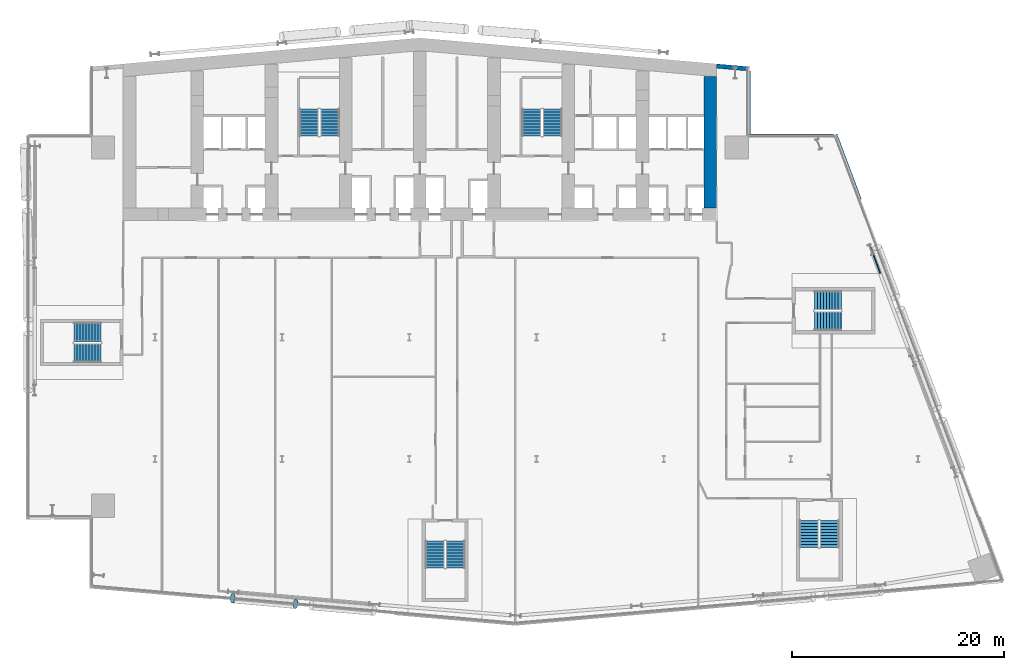
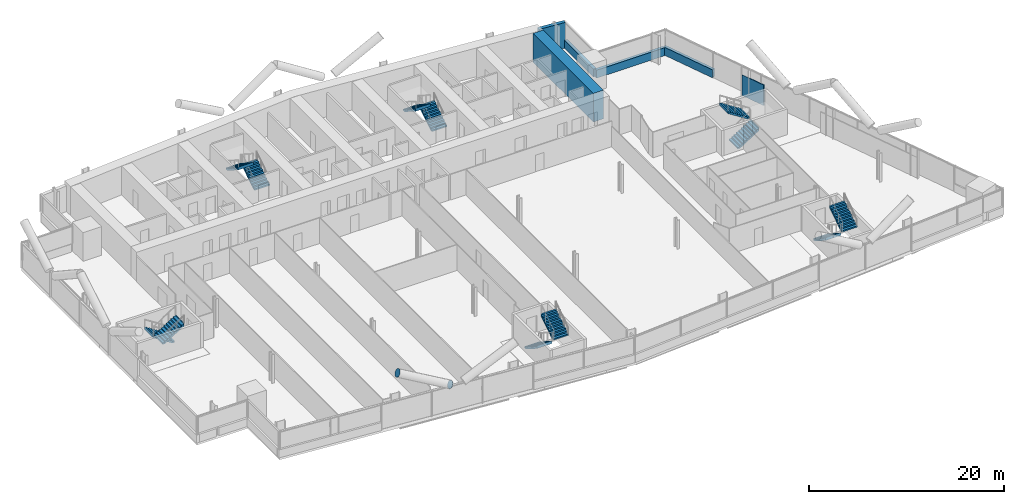
# One storey, part 18 of 25: 12 stair flights, 6 walls, 2 discrete accessories, 6 elements without a shape of their own.
"""IFC4 building model written with IfcOpenShell, lengths in metres."""

from ifc_helpers import new_model, si_unit, direction, frame, frame_2d, origin, origin_2d, place, context, subcontext, project, spatial, polyline, rectangle, circle, outline, extrude, material, layer, layer_set, material_profile, profile_set, type_object, element, aggregate, save


model = new_model("IFC4")

# Units and contexts
model_context = context("Model", 3, precision=1e-05, world=origin(), true_north=direction((0.0, 1.0)))
body_context = subcontext(model_context, "Body", "Model", "MODEL_VIEW")
ifc_project = project(units=[si_unit("LENGTHUNIT", "METRE"), si_unit("AREAUNIT", "SQUARE_METRE"), si_unit("VOLUMEUNIT", "CUBIC_METRE"), si_unit("PLANEANGLEUNIT", "RADIAN"), si_unit("MASSUNIT", "GRAM", prefix="KILO")], contexts=[model_context])

# Site, building, storey
site_placement = place(None, origin())
site = spatial("IfcSite", under=ifc_project, at=site_placement, CompositionType="ELEMENT")
building_placement = place(site_placement, origin())
building = spatial("IfcBuilding", under=site, at=building_placement, Name="Wharfspan Tower", CompositionType="ELEMENT")
storey_placement = place(building_placement, frame((0.0, 0.0, 70.300049)))
storey = spatial("IfcBuildingStorey", under=building, at=storey_placement, Name="L14", CompositionType="ELEMENT", Elevation=70.300049)

# Walls
ifc_material_1 = material(Name="Concrete C70/85", Category="concrete")
ifc_layer_1 = layer(ifc_material_1, 1.199951)
ifc_layer_set_1 = layer_set([ifc_layer_1], Name="Concrete C70/85")
wall_type_1 = type_object("IfcWallType", Name="Core wall 1200 C70/85", PredefinedType="SHEAR", material=ifc_layer_set_1)
wall_1_placement = place(storey_placement, frame((64.399902, 35.199951, 0.0), z_axis=(0.0, 0.0, 1.0), x_axis=(0.0, 1.0, 0.0)))
element("IfcWall", 1, at=wall_1_placement, inside=storey, type_object=wall_type_1, Name="Core cross wall EW1 L14", PredefinedType="SHEAR", context=body_context, shape_type="SweptSolid", body=[
    extrude(rectangle(XDim=12.382812, YDim=1.199951, at=frame_2d((6.191406, 0.0))), origin(), (0.0, 0.0, 1.0), 3.599854),
])
ifc_material_2 = material(Name="Gypsum board on steel studs", Category="steel")
ifc_layer_2 = layer(ifc_material_2, 0.100098)
ifc_layer_set_2 = layer_set([ifc_layer_2], Name="Gypsum board on steel studs")
wall_type_2 = type_object("IfcWallType", Name="Partition 100", PredefinedType="PARTITIONING", material=ifc_layer_set_2)
wall_2_placement = place(storey_placement, frame((80.44751, 29.02002, 0.0), z_axis=(0.0, 0.0, 1.0), x_axis=(-0.35129, 0.93627, 0.0)))
element("IfcWall", 2, at=wall_2_placement, inside=storey, type_object=wall_type_2, Name="Partition L14.w044", PredefinedType="PARTITIONING", context=body_context, shape_type="SweptSolid", body=[
    extrude(rectangle(XDim=2.910645, YDim=0.100098, at=frame_2d((1.455322, 0.0))), origin(), (0.0, 0.0, 1.0), 2.579834),
])
ifc_material_3 = material(Name="Concrete C40/50", Category="concrete")
ifc_layer_3 = layer(ifc_material_3, 0.350098)
ifc_layer_set_3 = layer_set([ifc_layer_3], Name="Concrete C40/50")
wall_type_3 = type_object("IfcWallType", Name="SPANDREL EXPOSED CONCRETE 350", PredefinedType="SOLIDWALL", material=ifc_layer_set_3)
wall_3_placement = place(storey_placement, frame((78.494141, 36.029785, 0.0), z_axis=(0.0, 0.0, 1.0), x_axis=(-0.351108, 0.936338, 0.0)))
element("IfcWall", 3, at=wall_3_placement, inside=storey, type_object=wall_type_3, Name="Spandrel upstand L14 E 2", PredefinedType="SOLIDWALL", context=body_context, shape_type="SweptSolid", body=[
    extrude(rectangle(XDim=6.50293, YDim=0.350098, at=frame_2d((3.251465, 0.0))), origin(), (0.0, 0.0, 1.0), 1.0),
])
wall_4_placement = place(storey_placement, frame((76.047119, 42.004883, 0.0), z_axis=(0.0, 0.0, 1.0), x_axis=(-1.0, 0.0, 0.0)))
element("IfcWall", 4, at=wall_4_placement, inside=storey, type_object=wall_type_3, Name="Spandrel upstand L14 NRE-H", PredefinedType="SOLIDWALL", context=body_context, shape_type="SweptSolid", body=[
    extrude(rectangle(XDim=8.047119, YDim=0.350098, at=frame_2d((4.023438, 0.0))), origin(), (0.0, 0.0, 1.0), 1.0),
])
wall_5_placement = place(storey_placement, frame((68.004883, 42.179932, 0.0), z_axis=(0.0, 0.0, 1.0), x_axis=(0.0, 1.0, 0.0)))
element("IfcWall", 5, at=wall_5_placement, inside=storey, type_object=wall_type_3, Name="Spandrel upstand L14 NRE-V", PredefinedType="SOLIDWALL", context=body_context, shape_type="SweptSolid", body=[
    extrude(rectangle(XDim=5.946533, YDim=0.350098, at=frame_2d((2.973145, 0.0))), origin(), (0.0, 0.0, 1.0), 1.0),
])
ifc_layer_4 = layer(ifc_material_3, 0.399902)
ifc_layer_set_4 = layer_set([ifc_layer_4], Name="Concrete C40/50")
wall_type_4 = type_object("IfcWallType", Name="WALL EXPOSED CONCRETE 400", PredefinedType="SOLIDWALL", material=ifc_layer_set_4)
wall_6_placement = place(storey_placement, frame((67.982666, 48.325684, 0.0), z_axis=(0.0, 0.0, 1.0), x_axis=(-0.996194, 0.087168, 0.0)))
element("IfcWall", 6, at=wall_6_placement, inside=storey, type_object=wall_type_4, Name="Rear wall N2", PredefinedType="SOLIDWALL", context=body_context, shape_type="SweptSolid", body=[
    extrude(rectangle(XDim=2.994141, YDim=0.399902, at=frame_2d((1.49707, 0.0))), origin(), (0.0, 0.0, 1.0), 3.199951),
])

# Stair, stair flights
stair_type = type_object("IfcStairType", Name="Half-turn stair 20 risers 180 mm", PredefinedType="HALF_TURN_STAIR", material=ifc_material_3)
stair_1_placement = place(storey_placement, origin())
stair_1 = element("IfcStair", 7, at=stair_1_placement, inside=storey, type_object=stair_type, Name="L14 stair ST1", PredefinedType="HALF_TURN_STAIR")
stair_flight_type = type_object("IfcStairFlightType", Name="Stair flight 20 risers 180 mm", PredefinedType="STRAIGHT", material=ifc_material_3)
stair_flight_1_placement = place(storey_placement, frame((28.5, 42.0, 0.0), z_axis=(0.0, 0.0, 1.0), x_axis=(0.0, 1.0, 0.0)))
stair_flight_1 = element("IfcStairFlight", 8, at=stair_flight_1_placement, type_object=stair_flight_type, Name="ST1 flight 1", NumberOfRisers=10, NumberOfTreads=9, PredefinedType="STRAIGHT", RiserHeight=0.18, TreadLength=0.28, context=body_context, shape_type="SweptSolid", body=[
    extrude(outline(polyline([(-0.011963, 0.0), (-0.011963, 0.179932), (0.0, 0.179932), (0.280029, 0.179932), (0.280029, 0.360107), (0.560059, 0.360107), (0.560059, 0.540039), (0.840088, 0.540039), (0.840088, 0.719971), (1.120117, 0.719971), (1.120117, 0.899902), (1.399902, 0.899902), (1.399902, 1.080078), (1.679932, 1.080078), (1.679932, 1.26001), (1.959961, 1.26001), (1.959961, 1.439941), (2.23999, 1.439941), (2.23999, 1.620117), (2.52002, 1.620117), (2.531982, 1.800049), (2.531982, 1.441895), (0.2771, 0.0), (-0.011963, 0.0)])), frame((0.0, 0.899902, 0.0), z_axis=(0.0, -1.0, 0.0), x_axis=(1.0, 0.0, 0.0)), (0.0, 0.0, 1.0), 0.899414),
    extrude(outline(polyline([(-0.011963, 0.0), (-0.011963, 0.179932), (0.0, 0.179932), (0.280029, 0.179932), (0.280029, 0.360107), (0.560059, 0.360107), (0.560059, 0.540039), (0.840088, 0.540039), (0.840088, 0.719971), (1.120117, 0.719971), (1.120117, 0.899902), (1.399902, 0.899902), (1.399902, 1.080078), (1.679932, 1.080078), (1.679932, 1.26001), (1.959961, 1.26001), (1.959961, 1.439941), (2.23999, 1.439941), (2.23999, 1.620117), (2.52002, 1.620117), (2.531982, 1.800049), (2.531982, 1.441895), (0.2771, 0.0), (-0.011963, 0.0)])), frame((0.0, -0.000488, 0.0), z_axis=(0.0, -1.0, 0.0), x_axis=(1.0, 0.0, 0.0)), (0.0, 0.0, 1.0), 0.899414),
])
stair_flight_2_placement = place(storey_placement, frame((26.550049, 44.52002, 1.800049), z_axis=(0.0, 0.0, 1.0), x_axis=(0.0, -1.0, 0.0)))
stair_flight_2 = element("IfcStairFlight", 9, at=stair_flight_2_placement, type_object=stair_flight_type, Name="ST1 flight 2", NumberOfRisers=10, NumberOfTreads=9, PredefinedType="STRAIGHT", RiserHeight=0.18, TreadLength=0.28, context=body_context, shape_type="SweptSolid", body=[
    extrude(outline(polyline([(-0.011963, 0.0), (-0.011963, 0.179932), (0.0, 0.179932), (0.280029, 0.179932), (0.280029, 0.360107), (0.560059, 0.360107), (0.560059, 0.540039), (0.840088, 0.540039), (0.840088, 0.719971), (1.120117, 0.719971), (1.120117, 0.899902), (1.399902, 0.899902), (1.399902, 1.080078), (1.679932, 1.080078), (1.679932, 1.26001), (1.959961, 1.26001), (1.959961, 1.439941), (2.23999, 1.439941), (2.23999, 1.620117), (2.52002, 1.620117), (2.531982, 1.800049), (2.531982, 1.441895), (0.2771, 0.0), (-0.011963, 0.0)])), frame((0.0, 0.899902, 0.0), z_axis=(0.0, -1.0, 0.0), x_axis=(1.0, 0.0, 0.0)), (0.0, 0.0, 1.0), 0.899414),
    extrude(outline(polyline([(-0.011963, 0.0), (-0.011963, 0.179932), (0.0, 0.179932), (0.280029, 0.179932), (0.280029, 0.360107), (0.560059, 0.360107), (0.560059, 0.540039), (0.840088, 0.540039), (0.840088, 0.719971), (1.120117, 0.719971), (1.120117, 0.899902), (1.399902, 0.899902), (1.399902, 1.080078), (1.679932, 1.080078), (1.679932, 1.26001), (1.959961, 1.26001), (1.959961, 1.439941), (2.23999, 1.439941), (2.23999, 1.620117), (2.52002, 1.620117), (2.531982, 1.800049), (2.531982, 1.441895), (0.2771, 0.0), (-0.011963, 0.0)])), frame((0.0, -0.000488, 0.0), z_axis=(0.0, -1.0, 0.0), x_axis=(1.0, 0.0, 0.0)), (0.0, 0.0, 1.0), 0.899414),
])
aggregate(stair_1, [stair_flight_1, stair_flight_2])

stair_2_placement = place(storey_placement, origin())
stair_2 = element("IfcStair", 10, at=stair_2_placement, inside=storey, type_object=stair_type, Name="L14 stair ST2", PredefinedType="HALF_TURN_STAIR")
stair_flight_3_placement = place(storey_placement, frame((49.5, 42.0, 0.0), z_axis=(0.0, 0.0, 1.0), x_axis=(0.0, 1.0, 0.0)))
stair_flight_3 = element("IfcStairFlight", 11, at=stair_flight_3_placement, type_object=stair_flight_type, Name="ST2 flight 1", NumberOfRisers=10, NumberOfTreads=9, PredefinedType="STRAIGHT", RiserHeight=0.18, TreadLength=0.28, context=body_context, shape_type="SweptSolid", body=[
    extrude(outline(polyline([(-0.011963, 0.0), (-0.011963, 0.179932), (0.0, 0.179932), (0.280029, 0.179932), (0.280029, 0.360107), (0.560059, 0.360107), (0.560059, 0.540039), (0.840088, 0.540039), (0.840088, 0.719971), (1.120117, 0.719971), (1.120117, 0.899902), (1.399902, 0.899902), (1.399902, 1.080078), (1.679932, 1.080078), (1.679932, 1.26001), (1.959961, 1.26001), (1.959961, 1.439941), (2.23999, 1.439941), (2.23999, 1.620117), (2.52002, 1.620117), (2.531982, 1.800049), (2.531982, 1.441895), (0.2771, 0.0), (-0.011963, 0.0)])), frame((0.0, 0.899902, 0.0), z_axis=(0.0, -1.0, 0.0), x_axis=(1.0, 0.0, 0.0)), (0.0, 0.0, 1.0), 0.899414),
    extrude(outline(polyline([(-0.011963, 0.0), (-0.011963, 0.179932), (0.0, 0.179932), (0.280029, 0.179932), (0.280029, 0.360107), (0.560059, 0.360107), (0.560059, 0.540039), (0.840088, 0.540039), (0.840088, 0.719971), (1.120117, 0.719971), (1.120117, 0.899902), (1.399902, 0.899902), (1.399902, 1.080078), (1.679932, 1.080078), (1.679932, 1.26001), (1.959961, 1.26001), (1.959961, 1.439941), (2.23999, 1.439941), (2.23999, 1.620117), (2.52002, 1.620117), (2.531982, 1.800049), (2.531982, 1.441895), (0.2771, 0.0), (-0.011963, 0.0)])), frame((0.0, -0.000488, 0.0), z_axis=(0.0, -1.0, 0.0), x_axis=(1.0, 0.0, 0.0)), (0.0, 0.0, 1.0), 0.899414),
])
stair_flight_4_placement = place(storey_placement, frame((47.550049, 44.52002, 1.800049), z_axis=(0.0, 0.0, 1.0), x_axis=(0.0, -1.0, 0.0)))
stair_flight_4 = element("IfcStairFlight", 12, at=stair_flight_4_placement, type_object=stair_flight_type, Name="ST2 flight 2", NumberOfRisers=10, NumberOfTreads=9, PredefinedType="STRAIGHT", RiserHeight=0.18, TreadLength=0.28, context=body_context, shape_type="SweptSolid", body=[
    extrude(outline(polyline([(-0.011963, 0.0), (-0.011963, 0.179932), (0.0, 0.179932), (0.280029, 0.179932), (0.280029, 0.360107), (0.560059, 0.360107), (0.560059, 0.540039), (0.840088, 0.540039), (0.840088, 0.719971), (1.120117, 0.719971), (1.120117, 0.899902), (1.399902, 0.899902), (1.399902, 1.080078), (1.679932, 1.080078), (1.679932, 1.26001), (1.959961, 1.26001), (1.959961, 1.439941), (2.23999, 1.439941), (2.23999, 1.620117), (2.52002, 1.620117), (2.531982, 1.800049), (2.531982, 1.441895), (0.2771, 0.0), (-0.011963, 0.0)])), frame((0.0, 0.899902, 0.0), z_axis=(0.0, -1.0, 0.0), x_axis=(1.0, 0.0, 0.0)), (0.0, 0.0, 1.0), 0.899414),
    extrude(outline(polyline([(-0.011963, 0.0), (-0.011963, 0.179932), (0.0, 0.179932), (0.280029, 0.179932), (0.280029, 0.360107), (0.560059, 0.360107), (0.560059, 0.540039), (0.840088, 0.540039), (0.840088, 0.719971), (1.120117, 0.719971), (1.120117, 0.899902), (1.399902, 0.899902), (1.399902, 1.080078), (1.679932, 1.080078), (1.679932, 1.26001), (1.959961, 1.26001), (1.959961, 1.439941), (2.23999, 1.439941), (2.23999, 1.620117), (2.52002, 1.620117), (2.531982, 1.800049), (2.531982, 1.441895), (0.2771, 0.0), (-0.011963, 0.0)])), frame((0.0, -0.000488, 0.0), z_axis=(0.0, -1.0, 0.0), x_axis=(1.0, 0.0, 0.0)), (0.0, 0.0, 1.0), 0.899414),
])
aggregate(stair_2, [stair_flight_3, stair_flight_4])

stair_3_placement = place(storey_placement, origin())
stair_3 = element("IfcStair", 13, at=stair_3_placement, inside=storey, type_object=stair_type, Name="L14 stair ST3", PredefinedType="HALF_TURN_STAIR")
stair_flight_5_placement = place(storey_placement, frame((6.899902, 23.475098, 0.0), z_axis=(0.0, 0.0, 1.0), x_axis=(-1.0, 0.0, 0.0)))
stair_flight_5 = element("IfcStairFlight", 14, at=stair_flight_5_placement, type_object=stair_flight_type, Name="ST3 flight 1", NumberOfRisers=10, NumberOfTreads=9, PredefinedType="STRAIGHT", RiserHeight=0.18, TreadLength=0.28, context=body_context, shape_type="SweptSolid", body=[
    extrude(outline(polyline([(-0.011963, 0.0), (-0.011963, 0.179932), (0.0, 0.179932), (0.280029, 0.179932), (0.280029, 0.360107), (0.560059, 0.360107), (0.560059, 0.540039), (0.840088, 0.540039), (0.840088, 0.719971), (1.120117, 0.719971), (1.120117, 0.899902), (1.399902, 0.899902), (1.399902, 1.080078), (1.679932, 1.080078), (1.679932, 1.26001), (1.959961, 1.26001), (1.959961, 1.439941), (2.23999, 1.439941), (2.23999, 1.620117), (2.52002, 1.620117), (2.531982, 1.800049), (2.531982, 1.441895), (0.2771, 0.0), (-0.011963, 0.0)])), frame((0.0, 0.899902, 0.0), z_axis=(0.0, -1.0, 0.0), x_axis=(1.0, 0.0, 0.0)), (0.0, 0.0, 1.0), 0.899414),
    extrude(outline(polyline([(-0.011963, 0.0), (-0.011963, 0.179932), (0.0, 0.179932), (0.280029, 0.179932), (0.280029, 0.360107), (0.560059, 0.360107), (0.560059, 0.540039), (0.840088, 0.540039), (0.840088, 0.719971), (1.120117, 0.719971), (1.120117, 0.899902), (1.399902, 0.899902), (1.399902, 1.080078), (1.679932, 1.080078), (1.679932, 1.26001), (1.959961, 1.26001), (1.959961, 1.439941), (2.23999, 1.439941), (2.23999, 1.620117), (2.52002, 1.620117), (2.531982, 1.800049), (2.531982, 1.441895), (0.2771, 0.0), (-0.011963, 0.0)])), frame((0.0, -0.000488, 0.0), z_axis=(0.0, -1.0, 0.0), x_axis=(1.0, 0.0, 0.0)), (0.0, 0.0, 1.0), 0.899414),
])
stair_flight_6_placement = place(storey_placement, frame((4.379883, 21.524902, 1.800049), z_axis=(0.0, 0.0, 1.0), x_axis=(1.0, 0.0, 0.0)))
stair_flight_6 = element("IfcStairFlight", 15, at=stair_flight_6_placement, type_object=stair_flight_type, Name="ST3 flight 2", NumberOfRisers=10, NumberOfTreads=9, PredefinedType="STRAIGHT", RiserHeight=0.18, TreadLength=0.28, context=body_context, shape_type="SweptSolid", body=[
    extrude(outline(polyline([(-0.011963, 0.0), (-0.011963, 0.179932), (0.0, 0.179932), (0.280029, 0.179932), (0.280029, 0.360107), (0.560059, 0.360107), (0.560059, 0.540039), (0.840088, 0.540039), (0.840088, 0.719971), (1.120117, 0.719971), (1.120117, 0.899902), (1.399902, 0.899902), (1.399902, 1.080078), (1.679932, 1.080078), (1.679932, 1.26001), (1.959961, 1.26001), (1.959961, 1.439941), (2.23999, 1.439941), (2.23999, 1.620117), (2.52002, 1.620117), (2.531982, 1.800049), (2.531982, 1.441895), (0.2771, 0.0), (-0.011963, 0.0)])), frame((0.0, 0.899902, 0.0), z_axis=(0.0, -1.0, 0.0), x_axis=(1.0, 0.0, 0.0)), (0.0, 0.0, 1.0), 0.899414),
    extrude(outline(polyline([(-0.011963, 0.0), (-0.011963, 0.179932), (0.0, 0.179932), (0.280029, 0.179932), (0.280029, 0.360107), (0.560059, 0.360107), (0.560059, 0.540039), (0.840088, 0.540039), (0.840088, 0.719971), (1.120117, 0.719971), (1.120117, 0.899902), (1.399902, 0.899902), (1.399902, 1.080078), (1.679932, 1.080078), (1.679932, 1.26001), (1.959961, 1.26001), (1.959961, 1.439941), (2.23999, 1.439941), (2.23999, 1.620117), (2.52002, 1.620117), (2.531982, 1.800049), (2.531982, 1.441895), (0.2771, 0.0), (-0.011963, 0.0)])), frame((0.0, -0.000488, 0.0), z_axis=(0.0, -1.0, 0.0), x_axis=(1.0, 0.0, 0.0)), (0.0, 0.0, 1.0), 0.899414),
])
aggregate(stair_3, [stair_flight_5, stair_flight_6])

stair_4_placement = place(storey_placement, origin())
stair_4 = element("IfcStair", 16, at=stair_4_placement, inside=storey, type_object=stair_type, Name="L14 stair ST4", PredefinedType="HALF_TURN_STAIR")
stair_flight_7_placement = place(storey_placement, frame((38.408203, 3.760498, 0.0), z_axis=(0.0, 0.0, 1.0), x_axis=(0.0, -1.0, 0.0)))
stair_flight_7 = element("IfcStairFlight", 17, at=stair_flight_7_placement, type_object=stair_flight_type, Name="ST4 flight 1", NumberOfRisers=10, NumberOfTreads=9, PredefinedType="STRAIGHT", RiserHeight=0.18, TreadLength=0.28, context=body_context, shape_type="SweptSolid", body=[
    extrude(outline(polyline([(-0.011963, 0.0), (-0.011963, 0.179932), (0.0, 0.179932), (0.280029, 0.179932), (0.280029, 0.360107), (0.560059, 0.360107), (0.560059, 0.540039), (0.840088, 0.540039), (0.840088, 0.719971), (1.120117, 0.719971), (1.120117, 0.899902), (1.399902, 0.899902), (1.399902, 1.080078), (1.679932, 1.080078), (1.679932, 1.26001), (1.959961, 1.26001), (1.959961, 1.439941), (2.23999, 1.439941), (2.23999, 1.620117), (2.52002, 1.620117), (2.531982, 1.800049), (2.531982, 1.441895), (0.2771, 0.0), (-0.011963, 0.0)])), frame((0.0, 0.899902, 0.0), z_axis=(0.0, -1.0, 0.0), x_axis=(1.0, 0.0, 0.0)), (0.0, 0.0, 1.0), 0.899414),
    extrude(outline(polyline([(-0.011963, 0.0), (-0.011963, 0.179932), (0.0, 0.179932), (0.280029, 0.179932), (0.280029, 0.360107), (0.560059, 0.360107), (0.560059, 0.540039), (0.840088, 0.540039), (0.840088, 0.719971), (1.120117, 0.719971), (1.120117, 0.899902), (1.399902, 0.899902), (1.399902, 1.080078), (1.679932, 1.080078), (1.679932, 1.26001), (1.959961, 1.26001), (1.959961, 1.439941), (2.23999, 1.439941), (2.23999, 1.620117), (2.52002, 1.620117), (2.531982, 1.800049), (2.531982, 1.441895), (0.2771, 0.0), (-0.011963, 0.0)])), frame((0.0, -0.000488, 0.0), z_axis=(0.0, -1.0, 0.0), x_axis=(1.0, 0.0, 0.0)), (0.0, 0.0, 1.0), 0.899414),
])
stair_flight_8_placement = place(storey_placement, frame((40.358398, 1.240723, 1.800049), z_axis=(0.0, 0.0, 1.0), x_axis=(0.0, 1.0, 0.0)))
stair_flight_8 = element("IfcStairFlight", 18, at=stair_flight_8_placement, type_object=stair_flight_type, Name="ST4 flight 2", NumberOfRisers=10, NumberOfTreads=9, PredefinedType="STRAIGHT", RiserHeight=0.18, TreadLength=0.28, context=body_context, shape_type="SweptSolid", body=[
    extrude(outline(polyline([(-0.011963, 0.0), (-0.011963, 0.179932), (0.0, 0.179932), (0.280029, 0.179932), (0.280029, 0.360107), (0.560059, 0.360107), (0.560059, 0.540039), (0.840088, 0.540039), (0.840088, 0.719971), (1.120117, 0.719971), (1.120117, 0.899902), (1.399902, 0.899902), (1.399902, 1.080078), (1.679932, 1.080078), (1.679932, 1.26001), (1.959961, 1.26001), (1.959961, 1.439941), (2.23999, 1.439941), (2.23999, 1.620117), (2.52002, 1.620117), (2.531982, 1.800049), (2.531982, 1.441895), (0.2771, 0.0), (-0.011963, 0.0)])), frame((0.0, 0.899902, 0.0), z_axis=(0.0, -1.0, 0.0), x_axis=(1.0, 0.0, 0.0)), (0.0, 0.0, 1.0), 0.899414),
    extrude(outline(polyline([(-0.011963, 0.0), (-0.011963, 0.179932), (0.0, 0.179932), (0.280029, 0.179932), (0.280029, 0.360107), (0.560059, 0.360107), (0.560059, 0.540039), (0.840088, 0.540039), (0.840088, 0.719971), (1.120117, 0.719971), (1.120117, 0.899902), (1.399902, 0.899902), (1.399902, 1.080078), (1.679932, 1.080078), (1.679932, 1.26001), (1.959961, 1.26001), (1.959961, 1.439941), (2.23999, 1.439941), (2.23999, 1.620117), (2.52002, 1.620117), (2.531982, 1.800049), (2.531982, 1.441895), (0.2771, 0.0), (-0.011963, 0.0)])), frame((0.0, -0.000488, 0.0), z_axis=(0.0, -1.0, 0.0), x_axis=(1.0, 0.0, 0.0)), (0.0, 0.0, 1.0), 0.899414),
])
aggregate(stair_4, [stair_flight_7, stair_flight_8])

stair_5_placement = place(storey_placement, origin())
stair_5 = element("IfcStair", 19, at=stair_5_placement, inside=storey, type_object=stair_type, Name="L14 stair ST5", PredefinedType="HALF_TURN_STAIR")
stair_flight_9_placement = place(storey_placement, frame((73.717529, 5.691895, 0.0), z_axis=(0.0, 0.0, 1.0), x_axis=(0.0, -1.0, 0.0)))
stair_flight_9 = element("IfcStairFlight", 20, at=stair_flight_9_placement, type_object=stair_flight_type, Name="ST5 flight 1", NumberOfRisers=10, NumberOfTreads=9, PredefinedType="STRAIGHT", RiserHeight=0.18, TreadLength=0.28, context=body_context, shape_type="SweptSolid", body=[
    extrude(outline(polyline([(-0.011963, 0.0), (-0.011963, 0.179932), (0.0, 0.179932), (0.280029, 0.179932), (0.280029, 0.360107), (0.560059, 0.360107), (0.560059, 0.540039), (0.840088, 0.540039), (0.840088, 0.719971), (1.120117, 0.719971), (1.120117, 0.899902), (1.399902, 0.899902), (1.399902, 1.080078), (1.679932, 1.080078), (1.679932, 1.26001), (1.959961, 1.26001), (1.959961, 1.439941), (2.23999, 1.439941), (2.23999, 1.620117), (2.52002, 1.620117), (2.531982, 1.800049), (2.531982, 1.441895), (0.2771, 0.0), (-0.011963, 0.0)])), frame((0.0, 0.899902, 0.0), z_axis=(0.0, -1.0, 0.0), x_axis=(1.0, 0.0, 0.0)), (0.0, 0.0, 1.0), 0.899414),
    extrude(outline(polyline([(-0.011963, 0.0), (-0.011963, 0.179932), (0.0, 0.179932), (0.280029, 0.179932), (0.280029, 0.360107), (0.560059, 0.360107), (0.560059, 0.540039), (0.840088, 0.540039), (0.840088, 0.719971), (1.120117, 0.719971), (1.120117, 0.899902), (1.399902, 0.899902), (1.399902, 1.080078), (1.679932, 1.080078), (1.679932, 1.26001), (1.959961, 1.26001), (1.959961, 1.439941), (2.23999, 1.439941), (2.23999, 1.620117), (2.52002, 1.620117), (2.531982, 1.800049), (2.531982, 1.441895), (0.2771, 0.0), (-0.011963, 0.0)])), frame((0.0, -0.000488, 0.0), z_axis=(0.0, -1.0, 0.0), x_axis=(1.0, 0.0, 0.0)), (0.0, 0.0, 1.0), 0.899414),
])
stair_flight_10_placement = place(storey_placement, frame((75.66748, 3.172119, 1.800049), z_axis=(0.0, 0.0, 1.0), x_axis=(0.0, 1.0, 0.0)))
stair_flight_10 = element("IfcStairFlight", 21, at=stair_flight_10_placement, type_object=stair_flight_type, Name="ST5 flight 2", NumberOfRisers=10, NumberOfTreads=9, PredefinedType="STRAIGHT", RiserHeight=0.18, TreadLength=0.28, context=body_context, shape_type="SweptSolid", body=[
    extrude(outline(polyline([(-0.011963, 0.0), (-0.011963, 0.179932), (0.0, 0.179932), (0.280029, 0.179932), (0.280029, 0.360107), (0.560059, 0.360107), (0.560059, 0.540039), (0.840088, 0.540039), (0.840088, 0.719971), (1.120117, 0.719971), (1.120117, 0.899902), (1.399902, 0.899902), (1.399902, 1.080078), (1.679932, 1.080078), (1.679932, 1.26001), (1.959961, 1.26001), (1.959961, 1.439941), (2.23999, 1.439941), (2.23999, 1.620117), (2.52002, 1.620117), (2.531982, 1.800049), (2.531982, 1.441895), (0.2771, 0.0), (-0.011963, 0.0)])), frame((0.0, 0.899902, 0.0), z_axis=(0.0, -1.0, 0.0), x_axis=(1.0, 0.0, 0.0)), (0.0, 0.0, 1.0), 0.899414),
    extrude(outline(polyline([(-0.011963, 0.0), (-0.011963, 0.179932), (0.0, 0.179932), (0.280029, 0.179932), (0.280029, 0.360107), (0.560059, 0.360107), (0.560059, 0.540039), (0.840088, 0.540039), (0.840088, 0.719971), (1.120117, 0.719971), (1.120117, 0.899902), (1.399902, 0.899902), (1.399902, 1.080078), (1.679932, 1.080078), (1.679932, 1.26001), (1.959961, 1.26001), (1.959961, 1.439941), (2.23999, 1.439941), (2.23999, 1.620117), (2.52002, 1.620117), (2.531982, 1.800049), (2.531982, 1.441895), (0.2771, 0.0), (-0.011963, 0.0)])), frame((0.0, -0.000488, 0.0), z_axis=(0.0, -1.0, 0.0), x_axis=(1.0, 0.0, 0.0)), (0.0, 0.0, 1.0), 0.899414),
])
aggregate(stair_5, [stair_flight_9, stair_flight_10])

stair_6_placement = place(storey_placement, origin())
stair_6 = element("IfcStair", 22, at=stair_6_placement, inside=storey, type_object=stair_type, Name="L14 stair ST6", PredefinedType="HALF_TURN_STAIR")
stair_flight_11_placement = place(storey_placement, frame((74.225098, 24.524902, 0.0), z_axis=(0.0, 0.0, 1.0), x_axis=(1.0, 0.0, 0.0)))
stair_flight_11 = element("IfcStairFlight", 23, at=stair_flight_11_placement, type_object=stair_flight_type, Name="ST6 flight 1", NumberOfRisers=10, NumberOfTreads=9, PredefinedType="STRAIGHT", RiserHeight=0.18, TreadLength=0.28, context=body_context, shape_type="SweptSolid", body=[
    extrude(outline(polyline([(-0.011963, 0.0), (-0.011963, 0.179932), (0.0, 0.179932), (0.280029, 0.179932), (0.280029, 0.360107), (0.560059, 0.360107), (0.560059, 0.540039), (0.840088, 0.540039), (0.840088, 0.719971), (1.120117, 0.719971), (1.120117, 0.899902), (1.399902, 0.899902), (1.399902, 1.080078), (1.679932, 1.080078), (1.679932, 1.26001), (1.959961, 1.26001), (1.959961, 1.439941), (2.23999, 1.439941), (2.23999, 1.620117), (2.52002, 1.620117), (2.531982, 1.800049), (2.531982, 1.441895), (0.2771, 0.0), (-0.011963, 0.0)])), frame((0.0, 0.899902, 0.0), z_axis=(0.0, -1.0, 0.0), x_axis=(1.0, 0.0, 0.0)), (0.0, 0.0, 1.0), 0.899414),
    extrude(outline(polyline([(-0.011963, 0.0), (-0.011963, 0.179932), (0.0, 0.179932), (0.280029, 0.179932), (0.280029, 0.360107), (0.560059, 0.360107), (0.560059, 0.540039), (0.840088, 0.540039), (0.840088, 0.719971), (1.120117, 0.719971), (1.120117, 0.899902), (1.399902, 0.899902), (1.399902, 1.080078), (1.679932, 1.080078), (1.679932, 1.26001), (1.959961, 1.26001), (1.959961, 1.439941), (2.23999, 1.439941), (2.23999, 1.620117), (2.52002, 1.620117), (2.531982, 1.800049), (2.531982, 1.441895), (0.2771, 0.0), (-0.011963, 0.0)])), frame((0.0, -0.000488, 0.0), z_axis=(0.0, -1.0, 0.0), x_axis=(1.0, 0.0, 0.0)), (0.0, 0.0, 1.0), 0.899414),
])
stair_flight_12_placement = place(storey_placement, frame((76.745117, 26.475098, 1.800049), z_axis=(0.0, 0.0, 1.0), x_axis=(-1.0, 0.0, 0.0)))
stair_flight_12 = element("IfcStairFlight", 24, at=stair_flight_12_placement, type_object=stair_flight_type, Name="ST6 flight 2", NumberOfRisers=10, NumberOfTreads=9, PredefinedType="STRAIGHT", RiserHeight=0.18, TreadLength=0.28, context=body_context, shape_type="SweptSolid", body=[
    extrude(outline(polyline([(-0.011963, 0.0), (-0.011963, 0.179932), (0.0, 0.179932), (0.280029, 0.179932), (0.280029, 0.360107), (0.560059, 0.360107), (0.560059, 0.540039), (0.840088, 0.540039), (0.840088, 0.719971), (1.120117, 0.719971), (1.120117, 0.899902), (1.399902, 0.899902), (1.399902, 1.080078), (1.679932, 1.080078), (1.679932, 1.26001), (1.959961, 1.26001), (1.959961, 1.439941), (2.23999, 1.439941), (2.23999, 1.620117), (2.52002, 1.620117), (2.531982, 1.800049), (2.531982, 1.441895), (0.2771, 0.0), (-0.011963, 0.0)])), frame((0.0, 0.899902, 0.0), z_axis=(0.0, -1.0, 0.0), x_axis=(1.0, 0.0, 0.0)), (0.0, 0.0, 1.0), 0.899414),
    extrude(outline(polyline([(-0.011963, 0.0), (-0.011963, 0.179932), (0.0, 0.179932), (0.280029, 0.179932), (0.280029, 0.360107), (0.560059, 0.360107), (0.560059, 0.540039), (0.840088, 0.540039), (0.840088, 0.719971), (1.120117, 0.719971), (1.120117, 0.899902), (1.399902, 0.899902), (1.399902, 1.080078), (1.679932, 1.080078), (1.679932, 1.26001), (1.959961, 1.26001), (1.959961, 1.439941), (2.23999, 1.439941), (2.23999, 1.620117), (2.52002, 1.620117), (2.531982, 1.800049), (2.531982, 1.441895), (0.2771, 0.0), (-0.011963, 0.0)])), frame((0.0, -0.000488, 0.0), z_axis=(0.0, -1.0, 0.0), x_axis=(1.0, 0.0, 0.0)), (0.0, 0.0, 1.0), 0.899414),
])
aggregate(stair_6, [stair_flight_11, stair_flight_12])

# Discrete accessories
ifc_material_4 = material(Name="Steel S460NH", Category="steel")
ifc_material_profile = material_profile(ifc_material_4, circle(Radius=0.457031, at=origin_2d()))
ifc_profile_set = profile_set([ifc_material_profile], Name="Steel S460NH")
discrete_accessory_type = type_object("IfcDiscreteAccessoryType", Name="End plate CHS 914x40", PredefinedType="BRACKET", material=ifc_profile_set)
for number, where, z_axis, x_axis, name in (
    (25, (25.271973, -2.155762, 3.295654), (-0.881993, 0.073499, 0.465496), (-0.083046, -0.996545, -2e-06), "End plate CHS 914x40"),
    (26, (19.338135, -1.636719, 6.5), (-0.881993, 0.073499, 0.465496), (-0.083046, -0.996545, -2e-06), "End plate CHS 914x40"),
):
    element("IfcDiscreteAccessory", number, at=place(storey_placement, frame(where, z_axis=z_axis, x_axis=x_axis)), inside=storey, type_object=discrete_accessory_type, Name=name, PredefinedType="BRACKET", context=body_context, shape_type="SweptSolid", body=[
        extrude(circle(Radius=0.457031, at=origin_2d()), origin(), (0.0, 0.0, 1.0), 0.01001),
    ])

save(model, "model.ifc")
